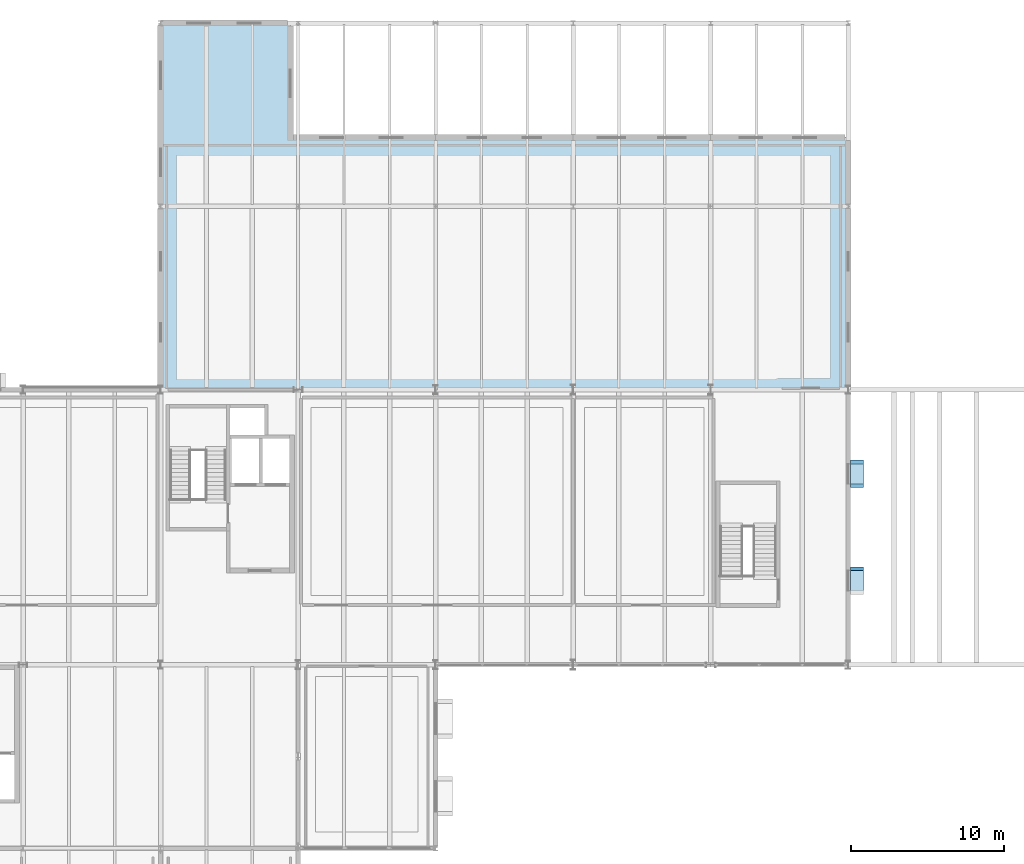
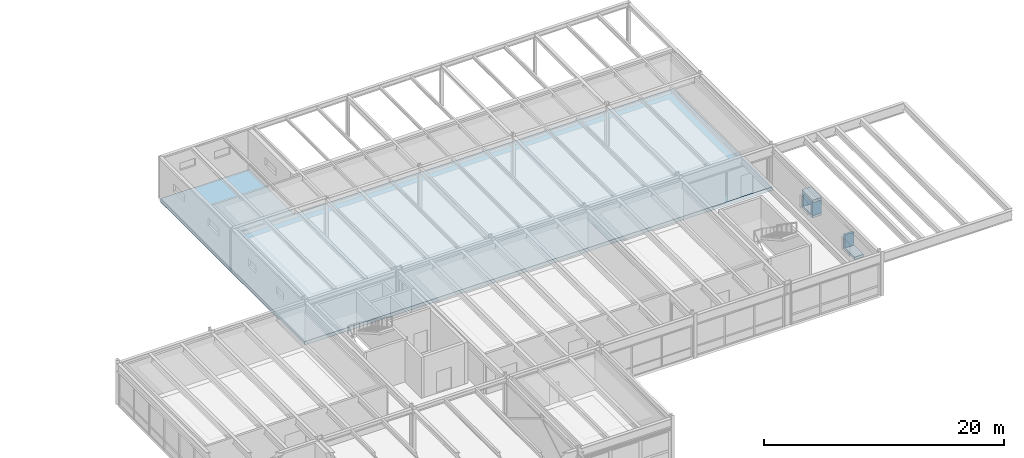
# One storey, part 102 of 127: 6 plates, 1 slab.
"""IFC4 building model written with IfcOpenShell, lengths in metres."""

from ifc_helpers import new_model, si_unit, direction, frame, origin, origin_2d, place, context, subcontext, project, spatial, polyline, rectangle, outline, extrude, material, layer, layer_set, type_object, element, save


model = new_model("IFC4")

# Units and contexts
model_context = context("Model", 3, precision=1e-05, world=origin(), true_north=direction((0.0, 1.0)))
body_context = subcontext(model_context, "Body", "Model", "MODEL_VIEW")
ifc_project = project(units=[si_unit("LENGTHUNIT", "METRE"), si_unit("AREAUNIT", "SQUARE_METRE"), si_unit("VOLUMEUNIT", "CUBIC_METRE"), si_unit("PLANEANGLEUNIT", "RADIAN"), si_unit("MASSUNIT", "GRAM", prefix="KILO")], contexts=[model_context])

# Site, building, storey
site_placement = place(None, origin())
site = spatial("IfcSite", under=ifc_project, at=site_placement, CompositionType="ELEMENT")
building_placement = place(site_placement, origin())
building = spatial("IfcBuilding", under=site, at=building_placement, Name="Montelvaro Courts of Justice", CompositionType="ELEMENT")
storey_placement = place(building_placement, frame((0.0, 0.0, 5.39990234375)))
storey = spatial("IfcBuildingStorey", under=building, at=storey_placement, Name="L01", CompositionType="ELEMENT", Elevation=5.39990234375)

# Slab
ifc_material_1 = material(Name="Concrete C35/45", Category="concrete")
ifc_layer_1 = layer(ifc_material_1, 0.360107421875)
ifc_layer_set_1 = layer_set([ifc_layer_1], Name="Concrete C35/45")
slab_type = type_object("IfcSlabType", Name="FloorSlab_360", PredefinedType="FLOOR", material=ifc_layer_set_1)
slab_placement = place(storey_placement, frame((0.0, 0.0, -0.35986328125)))
element("IfcSlab", 1, at=slab_placement, inside=storey, type_object=slab_type, Name="Structural Slab SF-06 L01", PredefinedType="FLOOR", context=body_context, shape_type="SweptSolid", body=[
    extrude(outline(polyline([(117.0, 96.0), (162.0, 96.0), (162.0, 112.5), (125.5, 112.5), (125.5, 120.0), (117.0, 120.0), (117.0, 96.0)])), origin(), (0.0, 0.0, 1.0), 0.35986328125),
])

# Plates
ifc_material_2 = material(Name="White mineral precast concrete C45/55", Category="concrete")
ifc_layer_2 = layer(ifc_material_2, 0.25)
ifc_layer_set_2 = layer_set([ifc_layer_2], Name="White mineral precast concrete C45/55")
plate_type = type_object("IfcPlateType", Name="PrecastSquareFrame_250x850", PredefinedType="SHEET", material=ifc_layer_set_2)
plate_1_placement = place(storey_placement, frame((162.570068359375, 83.509033203125, 0.650146484375), z_axis=(0.0, 0.0, 1.0), x_axis=(0.0, 1.0, 0.0)))
element("IfcPlate", 2, at=plate_1_placement, inside=storey, type_object=plate_type, Name="Graduated Square Window Frame PF-03 W-L01-042 BOT", PredefinedType="SHEET", context=body_context, shape_type="SweptSolid", body=[
    extrude(rectangle(XDim=1.800048828125, YDim=0.860107421875, at=origin_2d()), origin(), (0.0, 0.0, 1.0), 0.25),
])
plate_2_placement = place(storey_placement, frame((162.570068359375, 84.283935546875, 0.89990234375), z_axis=(0.0, 0.0, 1.0), x_axis=(0.0, 1.0, 0.0)))
element("IfcPlate", 3, at=plate_2_placement, inside=storey, type_object=plate_type, Name="Graduated Square Window Frame PF-03 W-L01-042 R", PredefinedType="SHEET", context=body_context, shape_type="SweptSolid", body=[
    extrude(rectangle(XDim=0.25, YDim=0.860107421875, at=origin_2d()), origin(), (0.0, 0.0, 1.0), 1.300048828125),
])
for number, where, z_axis, x_axis, name in (
    (4, (162.570068359375, 90.490966796875, 2.2001953125), (0.0, 0.0, 1.0), (0.0, 1.0, 0.0), "Graduated Square Window Frame PF-03 W-L01-043 TOP"),
    (5, (162.570068359375, 90.490966796875, 0.650146484375), (0.0, 0.0, 1.0), (0.0, 1.0, 0.0), "Graduated Square Window Frame PF-03 W-L01-043 BOT"),
):
    element("IfcPlate", number, at=place(storey_placement, frame(where, z_axis=z_axis, x_axis=x_axis)), inside=storey, type_object=plate_type, Name=name, PredefinedType="SHEET", context=body_context, shape_type="SweptSolid", body=[
        extrude(rectangle(XDim=1.800048828125, YDim=0.860107421875, at=origin_2d()), origin(), (0.0, 0.0, 1.0), 0.25),
    ])
for number, where, z_axis, x_axis, name in (
    (6, (162.570068359375, 89.716064453125, 0.89990234375), (0.0, 0.0, 1.0), (0.0, 1.0, 0.0), "Graduated Square Window Frame PF-03 W-L01-043 L"),
    (7, (162.570068359375, 91.26611328125, 0.89990234375), (0.0, 0.0, 1.0), (0.0, 1.0, 0.0), "Graduated Square Window Frame PF-03 W-L01-043 R"),
):
    element("IfcPlate", number, at=place(storey_placement, frame(where, z_axis=z_axis, x_axis=x_axis)), inside=storey, type_object=plate_type, Name=name, PredefinedType="SHEET", context=body_context, shape_type="SweptSolid", body=[
        extrude(rectangle(XDim=0.25, YDim=0.860107421875, at=origin_2d()), origin(), (0.0, 0.0, 1.0), 1.300048828125),
    ])

save(model, "model.ifc")
